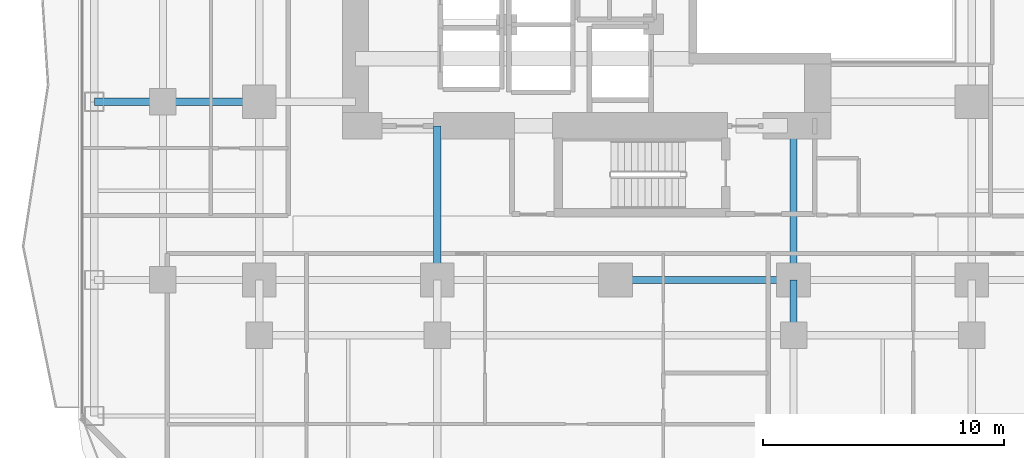
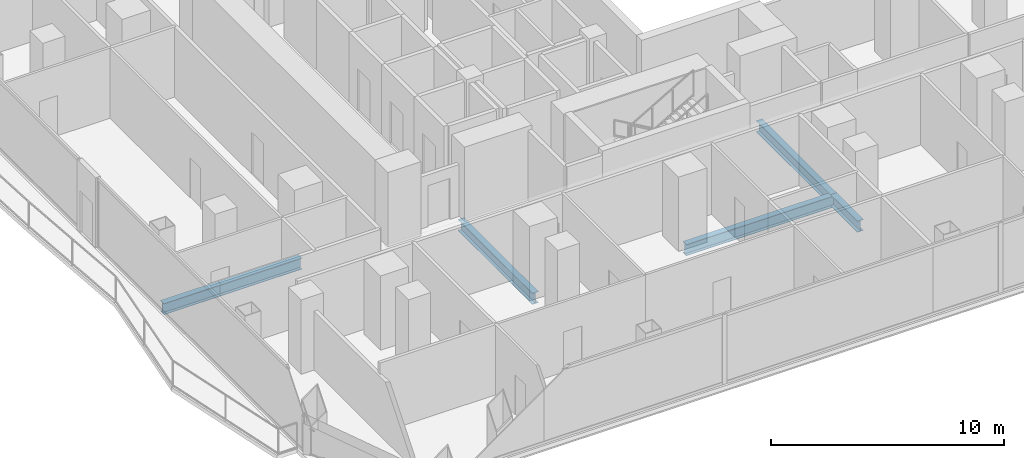
# One storey, part 5 of 27: 6 beams.
"""IFC4 building model written with IfcOpenShell, lengths in metres."""

from ifc_helpers import new_model, si_unit, direction, frame, origin, origin_2d, place, context, subcontext, project, spatial, i_section, extrude, material, material_profile, profile_set, type_object, element, save


model = new_model("IFC4")

# Units and contexts
model_context = context("Model", 3, precision=1e-05, world=origin(), true_north=direction((0.0, 1.0)))
body_context = subcontext(model_context, "Body", "Model", "MODEL_VIEW")
ifc_project = project(units=[si_unit("LENGTHUNIT", "METRE"), si_unit("AREAUNIT", "SQUARE_METRE"), si_unit("VOLUMEUNIT", "CUBIC_METRE"), si_unit("PLANEANGLEUNIT", "RADIAN"), si_unit("MASSUNIT", "GRAM", prefix="KILO")], contexts=[model_context])

# Site, building, storey
site_placement = place(None, origin())
site = spatial("IfcSite", under=ifc_project, at=site_placement, CompositionType="ELEMENT")
building_placement = place(site_placement, origin())
building = spatial("IfcBuilding", under=site, at=building_placement, Name="Khorvyn Point Tower", CompositionType="ELEMENT")
storey_placement = place(building_placement, frame((0.0, 0.0, 46.199951171875)))
storey = spatial("IfcBuildingStorey", under=building, at=storey_placement, Name="L12", CompositionType="ELEMENT", Elevation=46.199951171875)

# Beams
ifc_material = material(Name="Steel S355", Category="steel")
ifc_material_profile = material_profile(ifc_material, i_section(OverallWidth=0.300048828125, OverallDepth=0.587890625, WebThickness=0.011962890625, FlangeThickness=0.02001953125, at=origin_2d()))
ifc_profile_set = profile_set([ifc_material_profile], Name="Steel S355 H588x300x12x20")
beam_type = type_object("IfcBeamType", Name="Steel S355 Beam H588x300x12x20", PredefinedType="BEAM", material=ifc_profile_set)
beam_1_placement = place(storey_placement, frame((0.0, -14.800048828125, -0.513916015625), z_axis=(1.0, 0.0, 0.0), x_axis=(0.0, 1.0, 0.0)))
element("IfcBeam", 1, at=beam_1_placement, inside=storey, type_object=beam_type, Name="Beam", PredefinedType="BEAM", context=body_context, shape_type="SweptSolid", body=[
    extrude(i_section(OverallWidth=0.300048828125, OverallDepth=0.587890625, WebThickness=0.011962890625, FlangeThickness=0.02001953125, at=origin_2d()), origin(), (0.0, 0.0, 1.0), 7.39990234375),
])
beam_2_placement = place(storey_placement, frame((-21.64990234375, -7.39990234375, -0.513916015625), z_axis=(1.0, 0.0, 0.0), x_axis=(0.0, 1.0, 0.0)))
element("IfcBeam", 2, at=beam_2_placement, inside=storey, type_object=beam_type, Name="Beam", PredefinedType="BEAM", context=body_context, shape_type="SweptSolid", body=[
    extrude(i_section(OverallWidth=0.300048828125, OverallDepth=0.587890625, WebThickness=0.011962890625, FlangeThickness=0.02001953125, at=origin_2d()), origin(), (0.0, 0.0, 1.0), 2.849853515625),
])
beam_3_placement = place(storey_placement, frame((-18.800048828125, -7.39990234375, -0.513916015625), z_axis=(1.0, 0.0, 0.0), x_axis=(0.0, 1.0, 0.0)))
element("IfcBeam", 3, at=beam_3_placement, inside=storey, type_object=beam_type, Name="Beam", PredefinedType="BEAM", context=body_context, shape_type="SweptSolid", body=[
    extrude(i_section(OverallWidth=0.300048828125, OverallDepth=0.587890625, WebThickness=0.011962890625, FlangeThickness=0.02001953125, at=origin_2d()), origin(), (0.0, 0.0, 1.0), 4.0),
])
beam_4_placement = place(storey_placement, frame((-7.39990234375, -14.800048828125, -0.513916015625), z_axis=(0.0, 1.0, 0.0), x_axis=(-1.0, 0.0, 0.0)))
element("IfcBeam", 4, at=beam_4_placement, inside=storey, type_object=beam_type, Name="Beam", PredefinedType="BEAM", context=body_context, shape_type="SweptSolid", body=[
    extrude(i_section(OverallWidth=0.300048828125, OverallDepth=0.587890625, WebThickness=0.011962890625, FlangeThickness=0.02001953125, at=origin_2d()), origin(), (0.0, 0.0, 1.0), 6.400146484375),
])
beam_5_placement = place(storey_placement, frame((7.39990234375, -17.10009765625, -0.513916015625), z_axis=(0.0, 1.0, 0.0), x_axis=(-1.0, 0.0, 0.0)))
element("IfcBeam", 5, at=beam_5_placement, inside=storey, type_object=beam_type, Name="Beam", PredefinedType="BEAM", context=body_context, shape_type="SweptSolid", body=[
    extrude(i_section(OverallWidth=0.300048828125, OverallDepth=0.587890625, WebThickness=0.011962890625, FlangeThickness=0.02001953125, at=origin_2d()), origin(), (0.0, 0.0, 1.0), 2.300048828125),
])
beam_6_placement = place(storey_placement, frame((7.39990234375, -14.800048828125, -0.513916015625), z_axis=(0.0, 1.0, 0.0), x_axis=(-1.0, 0.0, 0.0)))
element("IfcBeam", 6, at=beam_6_placement, inside=storey, type_object=beam_type, Name="Beam", PredefinedType="BEAM", context=body_context, shape_type="SweptSolid", body=[
    extrude(i_section(OverallWidth=0.300048828125, OverallDepth=0.587890625, WebThickness=0.011962890625, FlangeThickness=0.02001953125, at=origin_2d()), origin(), (0.0, 0.0, 1.0), 6.400146484375),
])

save(model, "model.ifc")
